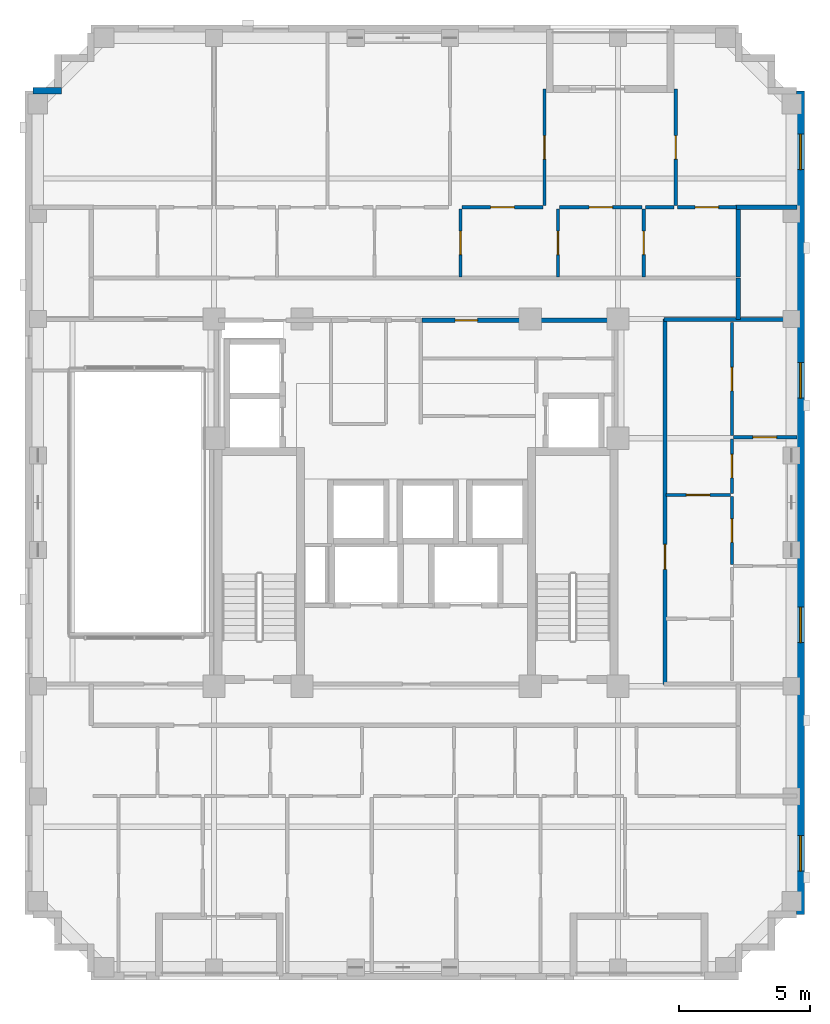
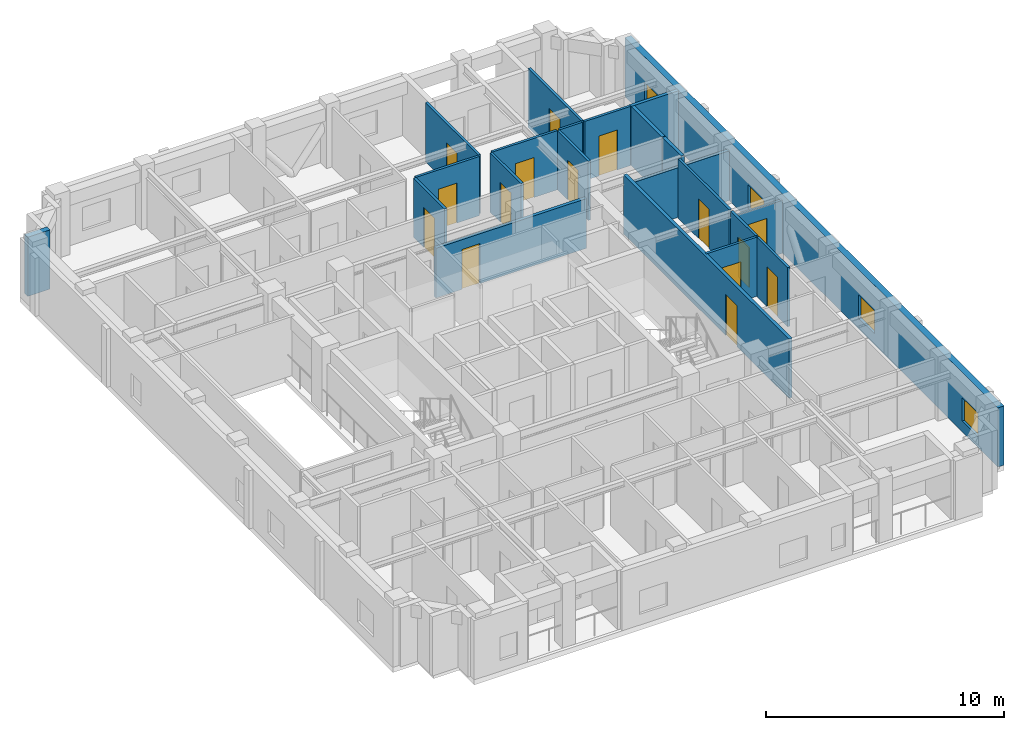
# One storey, part 8 of 13: 22 walls, 15 doors, 4 windows, 19 openings.
"""IFC4 building model written with IfcOpenShell, lengths in metres."""

import ifcopenshell
import ifcopenshell.guid

model = None  # the IFC model being written
_history = None  # IfcOwnerHistory: only IFC2X3 demands one
_inside = {}  # id of a spatial element -> (the spatial element, [elements in it])
_under = {}  # id of a project, library or spatial element -> (it, [spatial elements below it])
_declared = {}  # id of a project -> (the project, [libraries it declares])
_typed = {}  # id of a type object -> (the type object, [elements of that type])
_made_of = {}  # id of a material, layer set ... -> (it, [elements and type objects made of it])


def new_model(schema):
    """Start an empty IFC model of exactly this schema.

    Asked for "IFC4X3", IfcOpenShell would pick the latest addendum, in which some entities
    have other attributes; the version numbers below select the first issue.
    IFC2X3 requires an IfcOwnerHistory on every rooted entity: one is made here for all.
    """
    global model, _history
    if schema == "IFC4X3":
        model = ifcopenshell.file(schema_version=(4, 3, 0, 0))
    else:
        model = ifcopenshell.file(schema=schema)
    _inside.clear()
    _under.clear()
    _declared.clear()
    _typed.clear()
    _made_of.clear()
    _history = None
    if model.schema == "IFC2X3":
        org = make("IfcOrganization", Name="unknown")
        user = make(
            "IfcPersonAndOrganization",
            ThePerson=make("IfcPerson", FamilyName="unknown"),
            TheOrganization=org,
        )
        app = make(
            "IfcApplication",
            ApplicationDeveloper=org,
            Version="unknown",
            ApplicationFullName="unknown",
            ApplicationIdentifier="unknown",
        )
        _history = make(
            "IfcOwnerHistory",
            OwningUser=user,
            OwningApplication=app,
            ChangeAction="ADDED",
            CreationDate=0,
        )
    return model


def make(cls, **values):
    """One entity of the class cls with the attributes given. An attribute that is None is left unset."""
    return model.create_entity(
        cls, **{name: value for name, value in values.items() if value is not None}
    )


def rooted(cls, **values):
    """An entity with a GlobalId (a new one), such as an element, a storey or a relation."""
    return make(cls, GlobalId=ifcopenshell.guid.new(), OwnerHistory=_history, **values)


def si_unit(unit_type, name, prefix=None):
    """IfcSIUnit, for example si_unit("LENGTHUNIT", "METRE", prefix="MILLI")."""
    return make("IfcSIUnit", UnitType=unit_type, Prefix=prefix, Name=name)


def derived_unit(unit_type, elements):
    """IfcDerivedUnit: a product of units, each with its exponent."""
    return make(
        "IfcDerivedUnit",
        Elements=[
            make("IfcDerivedUnitElement", Unit=unit, Exponent=power)
            for unit, power in elements
        ],
        UnitType=unit_type,
    )


def assignment(units):
    """IfcUnitAssignment: the units of a project."""
    return None if units is None else make("IfcUnitAssignment", Units=units)


def point(xyz):
    """IfcCartesianPoint."""
    return None if xyz is None else make("IfcCartesianPoint", Coordinates=xyz)


def direction(xyz):
    """IfcDirection."""
    return None if xyz is None else make("IfcDirection", DirectionRatios=xyz)


def frame(location, z_axis=None, x_axis=None):
    """IfcAxis2Placement3D, a coordinate frame: its origin and axes. An axis left out is left unset."""
    return make(
        "IfcAxis2Placement3D",
        Location=point(location),
        Axis=direction(z_axis),
        RefDirection=direction(x_axis),
    )


def frame_2d(location, x_axis=None):
    """IfcAxis2Placement2D, a coordinate frame in the plane: its origin and x axis."""
    return make(
        "IfcAxis2Placement2D", Location=point(location), RefDirection=direction(x_axis)
    )


def origin():
    """The frame at (0, 0, 0) with its axes left unset."""
    return frame((0.0, 0.0, 0.0))


def place(relative_to, where):
    """IfcLocalPlacement: puts the frame where relative to a parent placement (None: the world)."""
    return make(
        "IfcLocalPlacement", PlacementRelTo=relative_to, RelativePlacement=where
    )


def context(
    kind, dimensions, precision=None, world=None, true_north=None, identifier=None
):
    """IfcGeometricRepresentationContext, for example the 3D "Model" context."""
    return make(
        "IfcGeometricRepresentationContext",
        ContextIdentifier=identifier,
        ContextType=kind,
        CoordinateSpaceDimension=dimensions,
        Precision=precision,
        WorldCoordinateSystem=world,
        TrueNorth=true_north,
    )


def subcontext(parent, identifier, kind, view, scale=None):
    """IfcGeometricRepresentationSubContext, for example "Body" below "Model"."""
    return make(
        "IfcGeometricRepresentationSubContext",
        ContextIdentifier=identifier,
        ContextType=kind,
        ParentContext=parent,
        TargetScale=scale,
        TargetView=view,
    )


def project(units=None, contexts=None):
    """IfcProject with its units and contexts."""
    return rooted(
        "IfcProject",
        Name="project",
        RepresentationContexts=contexts,
        UnitsInContext=assignment(units),
    )


def spatial(cls, under=None, at=None, **own):
    """A site, building, storey or space (cls), placed at a placement, below another one or the project."""
    s = rooted(cls, ObjectPlacement=at, **own)
    if under is not None:
        _under.setdefault(under.id(), (under, []))[1].append(s)
    return s


def profile(cls, at=None, kind="AREA", **sizes):
    """A parametric profile (cls). Its sizes go by their IFC names, for example OverallWidth=200.0."""
    return make(cls, ProfileType=kind, Position=at, **sizes)


def rectangle(**sizes):
    """IfcRectangleProfileDef."""
    return profile("IfcRectangleProfileDef", **sizes)


def extrude(swept, where, along, depth):
    """IfcExtrudedAreaSolid: the profile swept, set in the frame where, extruded along a direction by depth."""
    return make(
        "IfcExtrudedAreaSolid",
        SweptArea=swept,
        Position=where,
        ExtrudedDirection=direction(along),
        Depth=depth,
    )


def shape(context_of_items, identifier, shape_type, items):
    """IfcShapeRepresentation: the items that make up one representation, for example the "Body"."""
    return make(
        "IfcShapeRepresentation",
        ContextOfItems=context_of_items,
        RepresentationIdentifier=identifier,
        RepresentationType=shape_type,
        Items=items,
    )


def material(Name=None, Category=None):
    """IfcMaterial."""
    return make("IfcMaterial", Name=Name, Category=Category)


def layer(
    of_material, thickness, ventilated=None, Name=None, Category=None, Priority=None
):
    """IfcMaterialLayer: one layer of a wall or slab, of a material (None: an air gap)."""
    return make(
        "IfcMaterialLayer",
        Material=of_material,
        LayerThickness=thickness,
        IsVentilated=ventilated,
        Name=Name,
        Category=Category,
        Priority=Priority,
    )


def layer_set(layers, Name=None):
    """IfcMaterialLayerSet."""
    return make("IfcMaterialLayerSet", MaterialLayers=layers, LayerSetName=Name)


def made_of(thing, what):
    """Note that an element or type object is made of a material, layer set ...; save() writes the relation."""
    if what is not None:
        _made_of.setdefault(what.id(), (what, []))[1].append(thing)
    return thing


def type_object(cls, material=None, **own):
    """A type object (cls), such as IfcWallType, which elements share."""
    return made_of(rooted(cls, **own), material)


def element(
    cls,
    number,
    at=None,
    inside=None,
    cuts=None,
    type_object=None,
    material=None,
    context=None,
    identifier="Body",
    shape_type=None,
    held_by="IfcProductDefinitionShape",
    body=None,
    shapes=None,
    **own,
):
    """One element of the class cls, such as IfcWall. Its Tag is "e" and its number.

    at: its placement. inside: the storey or other place that contains it. cuts: it is an
    opening in that element (IfcRelVoidsElement). A single representation is given by context,
    identifier, shape_type and body (its items); several are given by shapes. held_by: the class
    of the entity that holds the representations. save() writes the other relations.
    """
    e = rooted(cls, Tag="e%d" % number, ObjectPlacement=at, **own)
    if body is not None:
        shapes = [shape(context, identifier, shape_type, body)]
    if shapes is not None:
        e.Representation = make(held_by, Representations=shapes)
    if inside is not None:
        _inside.setdefault(inside.id(), (inside, []))[1].append(e)
    if cuts is not None:
        rooted(
            "IfcRelVoidsElement", RelatingBuildingElement=cuts, RelatedOpeningElement=e
        )
    if type_object is not None:
        _typed.setdefault(type_object.id(), (type_object, []))[1].append(e)
    return made_of(e, material)


def fill(opening, filler):
    """IfcRelFillsElement: the door or window that sits in an opening."""
    return rooted(
        "IfcRelFillsElement",
        RelatingOpeningElement=opening,
        RelatedBuildingElement=filler,
    )


def aggregate(whole, parts):
    """IfcRelAggregates: a whole, such as a stair, and the parts it consists of."""
    return rooted("IfcRelAggregates", RelatingObject=whole, RelatedObjects=parts)


def save(model, path):
    """Write the relations noted so far, then the file.

    IfcRelAggregates (storeys below a building ...), IfcRelContainedInSpatialStructure (elements
    in a storey), IfcRelDefinesByType, IfcRelAssociatesMaterial and IfcRelDeclares: one each for
    every whole, place, type object, material and project.
    """
    for whole, parts in _under.values():
        aggregate(whole, parts)
    for where, things in _inside.values():
        rooted(
            "IfcRelContainedInSpatialStructure",
            RelatedElements=things,
            RelatingStructure=where,
        )
    for kind, things in _typed.values():
        rooted("IfcRelDefinesByType", RelatedObjects=things, RelatingType=kind)
    for what, things in _made_of.values():
        rooted("IfcRelAssociatesMaterial", RelatedObjects=things, RelatingMaterial=what)
    for by, libraries in _declared.values():
        rooted("IfcRelDeclares", RelatingContext=by, RelatedDefinitions=libraries)
    model.write(path)


model = new_model("IFC4")

# Units and contexts
model_context = context("Model", 3, precision=1e-05, world=origin(), true_north=direction((0.0, 1.0)))
body_context = subcontext(model_context, "Body", "Model", "MODEL_VIEW")
ifc_project = project(units=[si_unit("LENGTHUNIT", "METRE"), si_unit("AREAUNIT", "SQUARE_METRE"), si_unit("VOLUMEUNIT", "CUBIC_METRE"), si_unit("PLANEANGLEUNIT", "RADIAN"), si_unit("MASSUNIT", "GRAM", prefix="KILO"), derived_unit("THERMALTRANSMITTANCEUNIT", [(si_unit("MASSUNIT", "GRAM", prefix="KILO"), 1), (si_unit("TIMEUNIT", "SECOND"), -3), (si_unit("THERMODYNAMICTEMPERATUREUNIT", "KELVIN"), -1)])], contexts=[model_context])

# Site, building, storey
site_placement = place(None, origin())
site = spatial("IfcSite", under=ifc_project, at=site_placement, CompositionType="ELEMENT")
building_placement = place(site_placement, origin())
building = spatial("IfcBuilding", under=site, at=building_placement, Name="Korrvale Station Residences", CompositionType="ELEMENT")
storey_placement = place(building_placement, frame((0.0, 0.0, 177.699951171875)))
storey = spatial("IfcBuildingStorey", under=building, at=storey_placement, Name="L51", CompositionType="ELEMENT", Elevation=177.699951171875)

# Wall
ifc_material_1 = material(Name="Precast concrete C45/55", Category="concrete")
ifc_layer_1 = layer(ifc_material_1, 0.260009765625, Name="Precast concrete C45/55")
ifc_layer_set_1 = layer_set([ifc_layer_1], Name="Precast concrete C45/55")
wall_type_1 = type_object("IfcWallType", Name="WAL-EXT-LOG260", PredefinedType="SOLIDWALL", material=ifc_layer_set_1)
wall_1_placement = place(storey_placement, frame((10.902099609375, 37.699951171875, 0.0), z_axis=(0.0, 0.0, 1.0), x_axis=(1.0, 0.0, 0.0)))
element("IfcWall", 1, at=wall_1_placement, inside=storey, type_object=wall_type_1, Name="L51 Serrated Corner Precast Step NW-1", PredefinedType="SOLIDWALL", context=body_context, shape_type="SweptSolid", body=[
    extrude(rectangle(XDim=1.077880859375, YDim=0.260009765625, at=frame_2d((0.5390625, 0.0))), origin(), (0.0, 0.0, 1.0), 3.0400390625),
])

# Wall, openings, windows
ifc_layer_2 = layer(ifc_material_1, 0.300048828125, Name="Precast concrete C45/55")
ifc_layer_set_2 = layer_set([ifc_layer_2], Name="Precast concrete C45/55")
wall_type_2 = type_object("IfcWallType", Name="WAL-EXT-PC300", PredefinedType="SOLIDWALL", material=ifc_layer_set_2)
wall_2_placement = place(storey_placement, frame((40.14990234375, 37.699951171875, 0.0), z_axis=(0.0, 0.0, 1.0), x_axis=(0.0, -1.0, 0.0)))
wall_2 = element("IfcWall", 2, at=wall_2_placement, inside=storey, type_object=wall_type_2, Name="L51 East Exterior Precast Wall 1", PredefinedType="SOLIDWALL", context=body_context, shape_type="SweptSolid", body=[
    extrude(rectangle(XDim=31.39990234375, YDim=0.300048828125, at=frame_2d((15.699951171875, 0.0))), origin(), (0.0, 0.0, 1.0), 3.0400390625),
])
opening_1_placement = place(wall_2_placement, frame((28.39599609375, 0.0, 0.550048828125)))
opening_1 = element("IfcOpeningElement", 3, at=opening_1_placement, cuts=wall_2, Name="Opening W-10", PredefinedType="OPENING", context=body_context, shape_type="SweptSolid", body=[
    extrude(rectangle(XDim=1.35009765625, YDim=1.199951171875, at=frame_2d((0.675048828125, 0.60009765625))), frame((0.0, 0.16015625, 0.0), z_axis=(0.0, -1.0, 0.0), x_axis=(1.0, 0.0, 0.0)), (0.0, 0.0, 1.0), 0.320068359375),
])
opening_2_placement = place(wall_2_placement, frame((1.653076171875, 0.0, 0.550048828125)))
opening_2 = element("IfcOpeningElement", 4, at=opening_2_placement, cuts=wall_2, Name="Opening W-10", PredefinedType="OPENING", context=body_context, shape_type="SweptSolid", body=[
    extrude(rectangle(XDim=1.35009765625, YDim=1.199951171875, at=frame_2d((0.675048828125, 0.60009765625))), frame((0.0, 0.16015625, 0.0), z_axis=(0.0, -1.0, 0.0), x_axis=(1.0, 0.0, 0.0)), (0.0, 0.0, 1.0), 0.320068359375),
])
opening_3_placement = place(wall_2_placement, frame((19.68310546875, 0.0, 0.550048828125)))
opening_3 = element("IfcOpeningElement", 5, at=opening_3_placement, cuts=wall_2, Name="Opening W-10", PredefinedType="OPENING", context=body_context, shape_type="SweptSolid", body=[
    extrude(rectangle(XDim=1.35009765625, YDim=1.199951171875, at=frame_2d((0.675048828125, 0.60009765625))), frame((0.0, 0.16015625, 0.0), z_axis=(0.0, -1.0, 0.0), x_axis=(1.0, 0.0, 0.0)), (0.0, 0.0, 1.0), 0.320068359375),
])
opening_4_placement = place(wall_2_placement, frame((10.366943359375, 0.0, 0.550048828125)))
opening_4 = element("IfcOpeningElement", 6, at=opening_4_placement, cuts=wall_2, Name="Opening W-10", PredefinedType="OPENING", context=body_context, shape_type="SweptSolid", body=[
    extrude(rectangle(XDim=1.35009765625, YDim=1.199951171875, at=frame_2d((0.675048828125, 0.60009765625))), frame((0.0, 0.16015625, 0.0), z_axis=(0.0, -1.0, 0.0), x_axis=(1.0, 0.0, 0.0)), (0.0, 0.0, 1.0), 0.320068359375),
])
ifc_material_2 = material(Name="Thermally broken aluminium frame with triple low-e glazing", Category="aluminium")
window_type = type_object("IfcWindowType", Name="WIN-W10", PartitioningType="SINGLE_PANEL", PredefinedType="WINDOW", material=ifc_material_2)
window_1_placement = place(opening_1_placement, origin())
window_1 = element("IfcWindow", 7, at=window_1_placement, inside=storey, type_object=window_type, Name="L51 Punched Window 07", OverallHeight=1.199951171875, OverallWidth=1.35009765625, PartitioningType="SINGLE_PANEL", PredefinedType="WINDOW", context=body_context, shape_type="SweptSolid", body=[
    extrude(rectangle(XDim=1.35009765625, YDim=1.199951171875, at=frame_2d((0.675048828125, 0.60009765625))), frame((0.0, 0.030029296875, 0.0), z_axis=(0.0, -1.0, 0.0), x_axis=(1.0, 0.0, 0.0)), (0.0, 0.0, 1.0), 0.06005859375),
])
fill(opening_1, window_1)
window_2_placement = place(opening_2_placement, origin())
window_2 = element("IfcWindow", 8, at=window_2_placement, inside=storey, type_object=window_type, Name="L51 Punched Window 12", OverallHeight=1.199951171875, OverallWidth=1.35009765625, PartitioningType="SINGLE_PANEL", PredefinedType="WINDOW", context=body_context, shape_type="SweptSolid", body=[
    extrude(rectangle(XDim=1.35009765625, YDim=1.199951171875, at=frame_2d((0.675048828125, 0.60009765625))), frame((0.0, 0.030029296875, 0.0), z_axis=(0.0, -1.0, 0.0), x_axis=(1.0, 0.0, 0.0)), (0.0, 0.0, 1.0), 0.06005859375),
])
fill(opening_2, window_2)
window_3_placement = place(opening_3_placement, origin())
window_3 = element("IfcWindow", 9, at=window_3_placement, inside=storey, type_object=window_type, Name="L51 Punched Window 13", OverallHeight=1.199951171875, OverallWidth=1.35009765625, PartitioningType="SINGLE_PANEL", PredefinedType="WINDOW", context=body_context, shape_type="SweptSolid", body=[
    extrude(rectangle(XDim=1.35009765625, YDim=1.199951171875, at=frame_2d((0.675048828125, 0.60009765625))), frame((0.0, 0.030029296875, 0.0), z_axis=(0.0, -1.0, 0.0), x_axis=(1.0, 0.0, 0.0)), (0.0, 0.0, 1.0), 0.06005859375),
])
fill(opening_3, window_3)
window_4_placement = place(opening_4_placement, origin())
window_4 = element("IfcWindow", 10, at=window_4_placement, inside=storey, type_object=window_type, Name="L51 Punched Window 14", OverallHeight=1.199951171875, OverallWidth=1.35009765625, PartitioningType="SINGLE_PANEL", PredefinedType="WINDOW", context=body_context, shape_type="SweptSolid", body=[
    extrude(rectangle(XDim=1.35009765625, YDim=1.199951171875, at=frame_2d((0.675048828125, 0.60009765625))), frame((0.0, 0.030029296875, 0.0), z_axis=(0.0, -1.0, 0.0), x_axis=(1.0, 0.0, 0.0)), (0.0, 0.0, 1.0), 0.06005859375),
])
fill(opening_4, window_4)

# Wall, opening, door
ifc_material_3 = material(Name="Acoustic steel-stud gypsum board partition", Category="steel")
ifc_layer_3 = layer(ifc_material_3, 0.1201171875, Name="Acoustic steel-stud gypsum board partition")
ifc_layer_set_3 = layer_set([ifc_layer_3], Name="Acoustic steel-stud gypsum board partition")
wall_type_3 = type_object("IfcWallType", Name="WAL-PART-125", PredefinedType="PARTITIONING", material=ifc_layer_set_3)
wall_3_placement = place(storey_placement, frame((27.18994140625, 30.60009765625, 0.0), z_axis=(0.0, 0.0, 1.0), x_axis=(0.0, 1.0, 0.0)))
wall_3 = element("IfcWall", 11, at=wall_3_placement, inside=storey, type_object=wall_type_3, Name="L51 Suite Partition U02-V34", PredefinedType="PARTITIONING", context=body_context, shape_type="SweptSolid", body=[
    extrude(rectangle(XDim=2.599853515625, YDim=0.1201171875, at=frame_2d((1.2998046875, 0.0))), origin(), (0.0, 0.0, 1.0), 3.0400390625),
])
opening_5_placement = place(wall_3_placement, frame((0.85009765625, 0.0, 0.0)))
opening_5 = element("IfcOpeningElement", 12, at=opening_5_placement, cuts=wall_3, Name="Opening DI-900", PredefinedType="OPENING", context=body_context, shape_type="SweptSolid", body=[
    extrude(rectangle(XDim=0.89990234375, YDim=2.050048828125, at=frame_2d((0.449951171875, 1.02490234375))), frame((0.0, 0.070068359375, 0.0), z_axis=(0.0, -1.0, 0.0), x_axis=(1.0, 0.0, 0.0)), (0.0, 0.0, 1.0), 0.14013671875),
])
ifc_material_4 = material(Name="Painted solid-core timber interior room door", Category="wood")
door_type_1 = type_object("IfcDoorType", Name="DR-INT-900", OperationType="NOTDEFINED", PredefinedType="DOOR", material=ifc_material_4)
door_1_placement = place(opening_5_placement, origin())
door_1 = element("IfcDoor", 13, at=door_1_placement, inside=storey, type_object=door_type_1, Name="L51 Apartment 3BR L51-U02 Storage Closet 2 Door", OperationType="SINGLE_SWING_RIGHT", OverallHeight=2.050048828125, OverallWidth=0.89990234375, PredefinedType="DOOR", context=body_context, shape_type="SweptSolid", body=[
    extrude(rectangle(XDim=0.89990234375, YDim=2.050048828125, at=frame_2d((0.449951171875, 1.02490234375))), frame((0.0, 0.02490234375, 0.0), z_axis=(0.0, -1.0, 0.0), x_axis=(1.0, 0.0, 0.0)), (0.0, 0.0, 1.0), 0.050048828125),
])
fill(opening_5, door_1)

wall_4_placement = place(storey_placement, frame((30.909912109375, 30.60009765625, 0.0), z_axis=(0.0, 0.0, 1.0), x_axis=(0.0, 1.0, 0.0)))
wall_4 = element("IfcWall", 14, at=wall_4_placement, inside=storey, type_object=wall_type_3, Name="L51 Suite Partition U02-V45", PredefinedType="PARTITIONING", context=body_context, shape_type="SweptSolid", body=[
    extrude(rectangle(XDim=2.599853515625, YDim=0.1201171875, at=frame_2d((1.2998046875, 0.0))), origin(), (0.0, 0.0, 1.0), 3.0400390625),
])
opening_6_placement = place(wall_4_placement, frame((0.85009765625, 0.0, 0.0)))
opening_6 = element("IfcOpeningElement", 15, at=opening_6_placement, cuts=wall_4, Name="Opening DI-900", PredefinedType="OPENING", context=body_context, shape_type="SweptSolid", body=[
    extrude(rectangle(XDim=0.89990234375, YDim=2.050048828125, at=frame_2d((0.449951171875, 1.02490234375))), frame((0.0, 0.070068359375, 0.0), z_axis=(0.0, -1.0, 0.0), x_axis=(1.0, 0.0, 0.0)), (0.0, 0.0, 1.0), 0.14013671875),
])
door_2_placement = place(opening_6_placement, origin())
door_2 = element("IfcDoor", 16, at=door_2_placement, inside=storey, type_object=door_type_1, Name="L51 Apartment 3BR L51-U02 Storage Closet 3 Door", OperationType="SINGLE_SWING_RIGHT", OverallHeight=2.050048828125, OverallWidth=0.89990234375, PredefinedType="DOOR", context=body_context, shape_type="SweptSolid", body=[
    extrude(rectangle(XDim=0.89990234375, YDim=2.050048828125, at=frame_2d((0.449951171875, 1.02490234375))), frame((0.0, 0.02490234375, 0.0), z_axis=(0.0, -1.0, 0.0), x_axis=(1.0, 0.0, 0.0)), (0.0, 0.0, 1.0), 0.050048828125),
])
fill(opening_6, door_2)

wall_5_placement = place(storey_placement, frame((27.25, 33.260009765625, 0.0), z_axis=(0.0, 0.0, 1.0), x_axis=(1.0, 0.0, 0.0)))
wall_5 = element("IfcWall", 17, at=wall_5_placement, inside=storey, type_object=wall_type_3, Name="L51 Suite Partition U02-H410", PredefinedType="PARTITIONING", context=body_context, shape_type="SweptSolid", body=[
    extrude(rectangle(XDim=3.090087890625, YDim=0.1201171875, at=frame_2d((1.544921875, 0.0))), origin(), (0.0, 0.0, 1.0), 3.0400390625),
])
opening_7_placement = place(wall_5_placement, frame((1.094970703125, 0.0, 0.0)))
opening_7 = element("IfcOpeningElement", 18, at=opening_7_placement, cuts=wall_5, Name="Opening DI-900", PredefinedType="OPENING", context=body_context, shape_type="SweptSolid", body=[
    extrude(rectangle(XDim=0.89990234375, YDim=2.050048828125, at=frame_2d((0.449951171875, 1.02490234375))), frame((0.0, 0.070068359375, 0.0), z_axis=(0.0, -1.0, 0.0), x_axis=(1.0, 0.0, 0.0)), (0.0, 0.0, 1.0), 0.14013671875),
])
door_3_placement = place(opening_7_placement, origin())
door_3 = element("IfcDoor", 19, at=door_3_placement, inside=storey, type_object=door_type_1, Name="L51 Apartment 3BR L51-U02 Storage Closet 3 Door", OperationType="SINGLE_SWING_LEFT", OverallHeight=2.050048828125, OverallWidth=0.89990234375, PredefinedType="DOOR", context=body_context, shape_type="SweptSolid", body=[
    extrude(rectangle(XDim=0.89990234375, YDim=2.050048828125, at=frame_2d((0.449951171875, 1.02490234375))), frame((0.0, 0.02490234375, 0.0), z_axis=(0.0, -1.0, 0.0), x_axis=(1.0, 0.0, 0.0)), (0.0, 0.0, 1.0), 0.050048828125),
])
fill(opening_7, door_3)

wall_6_placement = place(storey_placement, frame((34.179931640625, 30.60009765625, 0.0), z_axis=(0.0, 0.0, 1.0), x_axis=(0.0, 1.0, 0.0)))
wall_6 = element("IfcWall", 20, at=wall_6_placement, inside=storey, type_object=wall_type_3, Name="L51 Suite Partition U02-V56", PredefinedType="PARTITIONING", context=body_context, shape_type="SweptSolid", body=[
    extrude(rectangle(XDim=2.599853515625, YDim=0.1201171875, at=frame_2d((1.2998046875, 0.0))), origin(), (0.0, 0.0, 1.0), 3.0400390625),
])
opening_8_placement = place(wall_6_placement, frame((0.85009765625, 0.0, 0.0)))
opening_8 = element("IfcOpeningElement", 21, at=opening_8_placement, cuts=wall_6, Name="Opening DI-900", PredefinedType="OPENING", context=body_context, shape_type="SweptSolid", body=[
    extrude(rectangle(XDim=0.89990234375, YDim=2.050048828125, at=frame_2d((0.449951171875, 1.02490234375))), frame((0.0, 0.070068359375, 0.0), z_axis=(0.0, -1.0, 0.0), x_axis=(1.0, 0.0, 0.0)), (0.0, 0.0, 1.0), 0.14013671875),
])
door_4_placement = place(opening_8_placement, origin())
door_4 = element("IfcDoor", 22, at=door_4_placement, inside=storey, type_object=door_type_1, Name="L51 Apartment 3BR L51-U02 Storage Closet 4 Door", OperationType="SINGLE_SWING_RIGHT", OverallHeight=2.050048828125, OverallWidth=0.89990234375, PredefinedType="DOOR", context=body_context, shape_type="SweptSolid", body=[
    extrude(rectangle(XDim=0.89990234375, YDim=2.050048828125, at=frame_2d((0.449951171875, 1.02490234375))), frame((0.0, 0.02490234375, 0.0), z_axis=(0.0, -1.0, 0.0), x_axis=(1.0, 0.0, 0.0)), (0.0, 0.0, 1.0), 0.050048828125),
])
fill(opening_8, door_4)

wall_7_placement = place(storey_placement, frame((30.969970703125, 33.260009765625, 0.0), z_axis=(0.0, 0.0, 1.0), x_axis=(1.0, 0.0, 0.0)))
wall_7 = element("IfcWall", 23, at=wall_7_placement, inside=storey, type_object=wall_type_3, Name="L51 Suite Partition U02-H511", PredefinedType="PARTITIONING", context=body_context, shape_type="SweptSolid", body=[
    extrude(rectangle(XDim=3.150146484375, YDim=0.1201171875, at=frame_2d((1.5751953125, 0.0))), origin(), (0.0, 0.0, 1.0), 3.0400390625),
])
opening_9_placement = place(wall_7_placement, frame((1.125, 0.0, 0.0)))
opening_9 = element("IfcOpeningElement", 24, at=opening_9_placement, cuts=wall_7, Name="Opening DI-900", PredefinedType="OPENING", context=body_context, shape_type="SweptSolid", body=[
    extrude(rectangle(XDim=0.89990234375, YDim=2.050048828125, at=frame_2d((0.449951171875, 1.02490234375))), frame((0.0, 0.070068359375, 0.0), z_axis=(0.0, -1.0, 0.0), x_axis=(1.0, 0.0, 0.0)), (0.0, 0.0, 1.0), 0.14013671875),
])
door_5_placement = place(opening_9_placement, origin())
door_5 = element("IfcDoor", 25, at=door_5_placement, inside=storey, type_object=door_type_1, Name="L51 Apartment 3BR L51-U02 Storage Closet 4 Door", OperationType="SINGLE_SWING_LEFT", OverallHeight=2.050048828125, OverallWidth=0.89990234375, PredefinedType="DOOR", context=body_context, shape_type="SweptSolid", body=[
    extrude(rectangle(XDim=0.89990234375, YDim=2.050048828125, at=frame_2d((0.449951171875, 1.02490234375))), frame((0.0, 0.02490234375, 0.0), z_axis=(0.0, -1.0, 0.0), x_axis=(1.0, 0.0, 0.0)), (0.0, 0.0, 1.0), 0.050048828125),
])
fill(opening_9, door_5)

# Wall
wall_8_placement = place(storey_placement, frame((34.239990234375, 33.260009765625, 0.0), z_axis=(0.0, 0.0, 1.0), x_axis=(1.0, 0.0, 0.0)))
element("IfcWall", 26, at=wall_8_placement, inside=storey, type_object=wall_type_3, Name="L51 Suite Partition U02-H611", PredefinedType="PARTITIONING", context=body_context, shape_type="SweptSolid", body=[
    extrude(rectangle(XDim=1.10009765625, YDim=0.1201171875, at=frame_2d((0.550048828125, 0.0))), origin(), (0.0, 0.0, 1.0), 3.0400390625),
])

# Wall, opening, door
wall_9_placement = place(storey_placement, frame((35.4599609375, 33.260009765625, 0.0), z_axis=(0.0, 0.0, 1.0), x_axis=(1.0, 0.0, 0.0)))
wall_9 = element("IfcWall", 27, at=wall_9_placement, inside=storey, type_object=wall_type_3, Name="L51 Suite Partition U02-H612", PredefinedType="PARTITIONING", context=body_context, shape_type="SweptSolid", body=[
    extrude(rectangle(XDim=2.260009765625, YDim=0.1201171875, at=frame_2d((1.1298828125, 0.0))), origin(), (0.0, 0.0, 1.0), 3.0400390625),
])
opening_10_placement = place(wall_9_placement, frame((0.679931640625, 0.0, 0.0)))
opening_10 = element("IfcOpeningElement", 28, at=opening_10_placement, cuts=wall_9, Name="Opening DI-900", PredefinedType="OPENING", context=body_context, shape_type="SweptSolid", body=[
    extrude(rectangle(XDim=0.89990234375, YDim=2.050048828125, at=frame_2d((0.449951171875, 1.02490234375))), frame((0.0, 0.070068359375, 0.0), z_axis=(0.0, -1.0, 0.0), x_axis=(1.0, 0.0, 0.0)), (0.0, 0.0, 1.0), 0.14013671875),
])
door_6_placement = place(opening_10_placement, origin())
door_6 = element("IfcDoor", 29, at=door_6_placement, inside=storey, type_object=door_type_1, Name="L51 Apartment 3BR L51-U02 Storage Closet 5 Door", OperationType="SINGLE_SWING_RIGHT", OverallHeight=2.050048828125, OverallWidth=0.89990234375, PredefinedType="DOOR", context=body_context, shape_type="SweptSolid", body=[
    extrude(rectangle(XDim=0.89990234375, YDim=2.050048828125, at=frame_2d((0.449951171875, 1.02490234375))), frame((0.0, 0.02490234375, 0.0), z_axis=(0.0, -1.0, 0.0), x_axis=(1.0, 0.0, 0.0)), (0.0, 0.0, 1.0), 0.050048828125),
])
fill(opening_10, door_6)

wall_10_placement = place(storey_placement, frame((30.39990234375, 33.320068359375, 0.0), z_axis=(0.0, 0.0, 1.0), x_axis=(0.0, 1.0, 0.0)))
wall_10 = element("IfcWall", 30, at=wall_10_placement, inside=storey, type_object=wall_type_3, Name="L51 Suite Partition U02-V1011", PredefinedType="PARTITIONING", context=body_context, shape_type="SweptSolid", body=[
    extrude(rectangle(XDim=4.449951171875, YDim=0.1201171875, at=frame_2d((2.22509765625, 0.0))), origin(), (0.0, 0.0, 1.0), 3.0400390625),
])
opening_11_placement = place(wall_10_placement, frame((1.77490234375, 0.0, 0.0)))
opening_11 = element("IfcOpeningElement", 31, at=opening_11_placement, cuts=wall_10, Name="Opening DI-900", PredefinedType="OPENING", context=body_context, shape_type="SweptSolid", body=[
    extrude(rectangle(XDim=0.89990234375, YDim=2.050048828125, at=frame_2d((0.449951171875, 1.02490234375))), frame((0.0, 0.070068359375, 0.0), z_axis=(0.0, -1.0, 0.0), x_axis=(1.0, 0.0, 0.0)), (0.0, 0.0, 1.0), 0.14013671875),
])
door_7_placement = place(opening_11_placement, origin())
door_7 = element("IfcDoor", 32, at=door_7_placement, inside=storey, type_object=door_type_1, Name="L51 Apartment 3BR L51-U02 Bedroom 1 Door", OperationType="SINGLE_SWING_RIGHT", OverallHeight=2.050048828125, OverallWidth=0.89990234375, PredefinedType="DOOR", context=body_context, shape_type="SweptSolid", body=[
    extrude(rectangle(XDim=0.89990234375, YDim=2.050048828125, at=frame_2d((0.449951171875, 1.02490234375))), frame((0.0, 0.02490234375, 0.0), z_axis=(0.0, -1.0, 0.0), x_axis=(1.0, 0.0, 0.0)), (0.0, 0.0, 1.0), 0.050048828125),
])
fill(opening_11, door_7)

wall_11_placement = place(storey_placement, frame((35.39990234375, 33.320068359375, 0.0), z_axis=(0.0, 0.0, 1.0), x_axis=(0.0, 1.0, 0.0)))
wall_11 = element("IfcWall", 33, at=wall_11_placement, inside=storey, type_object=wall_type_3, Name="L51 Suite Partition U02-V1112", PredefinedType="PARTITIONING", context=body_context, shape_type="SweptSolid", body=[
    extrude(rectangle(XDim=4.449951171875, YDim=0.1201171875, at=frame_2d((2.22509765625, 0.0))), origin(), (0.0, 0.0, 1.0), 3.0400390625),
])
opening_12_placement = place(wall_11_placement, frame((1.77490234375, 0.0, 0.0)))
opening_12 = element("IfcOpeningElement", 34, at=opening_12_placement, cuts=wall_11, Name="Opening DI-900", PredefinedType="OPENING", context=body_context, shape_type="SweptSolid", body=[
    extrude(rectangle(XDim=0.89990234375, YDim=2.050048828125, at=frame_2d((0.449951171875, 1.02490234375))), frame((0.0, 0.070068359375, 0.0), z_axis=(0.0, -1.0, 0.0), x_axis=(1.0, 0.0, 0.0)), (0.0, 0.0, 1.0), 0.14013671875),
])
door_8_placement = place(opening_12_placement, origin())
door_8 = element("IfcDoor", 35, at=door_8_placement, inside=storey, type_object=door_type_1, Name="L51 Apartment 3BR L51-U02 Bedroom 2 Door", OperationType="SINGLE_SWING_LEFT", OverallHeight=2.050048828125, OverallWidth=0.89990234375, PredefinedType="DOOR", context=body_context, shape_type="SweptSolid", body=[
    extrude(rectangle(XDim=0.89990234375, YDim=2.050048828125, at=frame_2d((0.449951171875, 1.02490234375))), frame((0.0, 0.02490234375, 0.0), z_axis=(0.0, -1.0, 0.0), x_axis=(1.0, 0.0, 0.0)), (0.0, 0.0, 1.0), 0.050048828125),
])
fill(opening_12, door_8)

wall_12_placement = place(storey_placement, frame((35.030029296875, 22.2900390625, 0.0), z_axis=(0.0, 0.0, 1.0), x_axis=(1.0, 0.0, 0.0)))
wall_12 = element("IfcWall", 36, at=wall_12_placement, inside=storey, type_object=wall_type_3, Name="L51 Suite Partition U03-H02", PredefinedType="PARTITIONING", context=body_context, shape_type="SweptSolid", body=[
    extrude(rectangle(XDim=2.449951171875, YDim=0.1201171875, at=frame_2d((1.22509765625, 0.0))), origin(), (0.0, 0.0, 1.0), 3.0400390625),
])
opening_13_placement = place(wall_12_placement, frame((0.77490234375, 0.0, 0.0)))
opening_13 = element("IfcOpeningElement", 37, at=opening_13_placement, cuts=wall_12, Name="Opening DI-900", PredefinedType="OPENING", context=body_context, shape_type="SweptSolid", body=[
    extrude(rectangle(XDim=0.89990234375, YDim=2.050048828125, at=frame_2d((0.449951171875, 1.02490234375))), frame((0.0, 0.070068359375, 0.0), z_axis=(0.0, -1.0, 0.0), x_axis=(1.0, 0.0, 0.0)), (0.0, 0.0, 1.0), 0.14013671875),
])
door_9_placement = place(opening_13_placement, origin())
door_9 = element("IfcDoor", 38, at=door_9_placement, inside=storey, type_object=door_type_1, Name="L51 Apartment 2BR L51-U03 Wardrobe Storage Room Door", OperationType="SINGLE_SWING_RIGHT", OverallHeight=2.050048828125, OverallWidth=0.89990234375, PredefinedType="DOOR", context=body_context, shape_type="SweptSolid", body=[
    extrude(rectangle(XDim=0.89990234375, YDim=2.050048828125, at=frame_2d((0.449951171875, 1.02490234375))), frame((0.0, 0.02490234375, 0.0), z_axis=(0.0, -1.0, 0.0), x_axis=(1.0, 0.0, 0.0)), (0.0, 0.0, 1.0), 0.050048828125),
])
fill(opening_13, door_9)

wall_13_placement = place(storey_placement, frame((37.5400390625, 22.35009765625, 0.0), z_axis=(0.0, 0.0, 1.0), x_axis=(0.0, 1.0, 0.0)))
wall_13 = element("IfcWall", 39, at=wall_13_placement, inside=storey, type_object=wall_type_3, Name="L51 Suite Partition U03-V04", PredefinedType="PARTITIONING", context=body_context, shape_type="SweptSolid", body=[
    extrude(rectangle(XDim=2.081787109375, YDim=0.1201171875, at=frame_2d((1.041015625, 0.0))), origin(), (0.0, 0.0, 1.0), 3.0400390625),
])
opening_14_placement = place(wall_13_placement, frame((0.591064453125, 0.0, 0.0)))
opening_14 = element("IfcOpeningElement", 40, at=opening_14_placement, cuts=wall_13, Name="Opening DI-900", PredefinedType="OPENING", context=body_context, shape_type="SweptSolid", body=[
    extrude(rectangle(XDim=0.89990234375, YDim=2.050048828125, at=frame_2d((0.449951171875, 1.02490234375))), frame((0.0, 0.070068359375, 0.0), z_axis=(0.0, -1.0, 0.0), x_axis=(1.0, 0.0, 0.0)), (0.0, 0.0, 1.0), 0.14013671875),
])
door_10_placement = place(opening_14_placement, origin())
door_10 = element("IfcDoor", 41, at=door_10_placement, inside=storey, type_object=door_type_1, Name="L51 Apartment 2BR L51-U03 Wardrobe Storage Room Door", OperationType="SINGLE_SWING_LEFT", OverallHeight=2.050048828125, OverallWidth=0.89990234375, PredefinedType="DOOR", context=body_context, shape_type="SweptSolid", body=[
    extrude(rectangle(XDim=0.89990234375, YDim=2.050048828125, at=frame_2d((0.449951171875, 1.02490234375))), frame((0.0, 0.02490234375, 0.0), z_axis=(0.0, -1.0, 0.0), x_axis=(1.0, 0.0, 0.0)), (0.0, 0.0, 1.0), 0.050048828125),
])
fill(opening_14, door_10)

wall_14_placement = place(storey_placement, frame((37.5400390625, 24.552001953125, 0.0), z_axis=(0.0, 0.0, 1.0), x_axis=(0.0, 1.0, 0.0)))
wall_14 = element("IfcWall", 42, at=wall_14_placement, inside=storey, type_object=wall_type_3, Name="L51 Suite Partition U03-V05", PredefinedType="PARTITIONING", context=body_context, shape_type="SweptSolid", body=[
    extrude(rectangle(XDim=4.30810546875, YDim=0.1201171875, at=frame_2d((2.154052734375, 0.0))), origin(), (0.0, 0.0, 1.0), 3.0400390625),
])
opening_15_placement = place(wall_14_placement, frame((1.7041015625, 0.0, 0.0)))
opening_15 = element("IfcOpeningElement", 43, at=opening_15_placement, cuts=wall_14, Name="Opening DI-900", PredefinedType="OPENING", context=body_context, shape_type="SweptSolid", body=[
    extrude(rectangle(XDim=0.89990234375, YDim=2.050048828125, at=frame_2d((0.449951171875, 1.02490234375))), frame((0.0, 0.070068359375, 0.0), z_axis=(0.0, -1.0, 0.0), x_axis=(1.0, 0.0, 0.0)), (0.0, 0.0, 1.0), 0.14013671875),
])
door_11_placement = place(opening_15_placement, origin())
door_11 = element("IfcDoor", 44, at=door_11_placement, inside=storey, type_object=door_type_1, Name="L51 Apartment 2BR L51-U03 Wardrobe Storage Room Door", OperationType="SINGLE_SWING_RIGHT", OverallHeight=2.050048828125, OverallWidth=0.89990234375, PredefinedType="DOOR", context=body_context, shape_type="SweptSolid", body=[
    extrude(rectangle(XDim=0.89990234375, YDim=2.050048828125, at=frame_2d((0.449951171875, 1.02490234375))), frame((0.0, 0.02490234375, 0.0), z_axis=(0.0, -1.0, 0.0), x_axis=(1.0, 0.0, 0.0)), (0.0, 0.0, 1.0), 0.050048828125),
])
fill(opening_15, door_11)

wall_15_placement = place(storey_placement, frame((37.5400390625, 19.637939453125, 0.0), z_axis=(0.0, 0.0, 1.0), x_axis=(0.0, 1.0, 0.0)))
wall_15 = element("IfcWall", 45, at=wall_15_placement, inside=storey, type_object=wall_type_3, Name="L51 Suite Partition U03-V24", PredefinedType="PARTITIONING", context=body_context, shape_type="SweptSolid", body=[
    extrude(rectangle(XDim=2.592041015625, YDim=0.1201171875, at=frame_2d((1.2958984375, 0.0))), origin(), (0.0, 0.0, 1.0), 3.0400390625),
])
opening_16_placement = place(wall_15_placement, frame((0.845947265625, 0.0, 0.0)))
opening_16 = element("IfcOpeningElement", 46, at=opening_16_placement, cuts=wall_15, Name="Opening DI-900", PredefinedType="OPENING", context=body_context, shape_type="SweptSolid", body=[
    extrude(rectangle(XDim=0.89990234375, YDim=2.050048828125, at=frame_2d((0.449951171875, 1.02490234375))), frame((0.0, 0.070068359375, 0.0), z_axis=(0.0, -1.0, 0.0), x_axis=(1.0, 0.0, 0.0)), (0.0, 0.0, 1.0), 0.14013671875),
])
door_12_placement = place(opening_16_placement, origin())
door_12 = element("IfcDoor", 47, at=door_12_placement, inside=storey, type_object=door_type_1, Name="L51 Apartment 2BR L51-U03 Kitchen Door", OperationType="SINGLE_SWING_LEFT", OverallHeight=2.050048828125, OverallWidth=0.89990234375, PredefinedType="DOOR", context=body_context, shape_type="SweptSolid", body=[
    extrude(rectangle(XDim=0.89990234375, YDim=2.050048828125, at=frame_2d((0.449951171875, 1.02490234375))), frame((0.0, 0.02490234375, 0.0), z_axis=(0.0, -1.0, 0.0), x_axis=(1.0, 0.0, 0.0)), (0.0, 0.0, 1.0), 0.050048828125),
])
fill(opening_16, door_12)

wall_16_placement = place(storey_placement, frame((37.60009765625, 24.491943359375, 0.0), z_axis=(0.0, 0.0, 1.0), x_axis=(1.0, 0.0, 0.0)))
wall_16 = element("IfcWall", 48, at=wall_16_placement, inside=storey, type_object=wall_type_3, Name="L51 Suite Partition U03-H45", PredefinedType="PARTITIONING", context=body_context, shape_type="SweptSolid", body=[
    extrude(rectangle(XDim=2.419921875, YDim=0.1201171875, at=frame_2d((1.2099609375, 0.0))), origin(), (0.0, 0.0, 1.0), 2.72216796875),
])
opening_17_placement = place(wall_16_placement, frame((0.7451171875, 0.0, 0.0)))
opening_17 = element("IfcOpeningElement", 49, at=opening_17_placement, cuts=wall_16, Name="Opening DI-900", PredefinedType="OPENING", context=body_context, shape_type="SweptSolid", body=[
    extrude(rectangle(XDim=0.89990234375, YDim=2.050048828125, at=frame_2d((0.449951171875, 1.02490234375))), frame((0.0, 0.070068359375, 0.0), z_axis=(0.0, -1.0, 0.0), x_axis=(1.0, 0.0, 0.0)), (0.0, 0.0, 1.0), 0.14013671875),
])
door_13_placement = place(opening_17_placement, origin())
door_13 = element("IfcDoor", 50, at=door_13_placement, inside=storey, type_object=door_type_1, Name="L51 Apartment 2BR L51-U03 Living and Dining Room Door", OperationType="SINGLE_SWING_LEFT", OverallHeight=2.050048828125, OverallWidth=0.89990234375, PredefinedType="DOOR", context=body_context, shape_type="SweptSolid", body=[
    extrude(rectangle(XDim=0.89990234375, YDim=2.050048828125, at=frame_2d((0.449951171875, 1.02490234375))), frame((0.0, 0.02490234375, 0.0), z_axis=(0.0, -1.0, 0.0), x_axis=(1.0, 0.0, 0.0)), (0.0, 0.0, 1.0), 0.050048828125),
])
fill(opening_17, door_13)

ifc_material_5 = material(Name="Fire-rated twin-stud gypsum and mineral wool shaftwall assembly", Category="gypsum")
ifc_layer_4 = layer(ifc_material_5, 0.159912109375, Name="Fire-rated twin-stud gypsum and mineral wool shaftwall assembly")
ifc_layer_set_4 = layer_set([ifc_layer_4], Name="Fire-rated twin-stud gypsum and mineral wool shaftwall assembly")
wall_type_4 = type_object("IfcWallType", Name="WAL-PART-200", PredefinedType="PARTITIONING", material=ifc_layer_set_4)
wall_17_placement = place(storey_placement, frame((25.719970703125, 28.949951171875, 0.0), z_axis=(0.0, 0.0, 1.0), x_axis=(1.0, 0.0, 0.0)))
wall_17 = element("IfcWall", 51, at=wall_17_placement, inside=storey, type_object=wall_type_4, Name="L51 Core Partition CW-FPLE-N", PredefinedType="PARTITIONING", context=body_context, shape_type="SweptSolid", body=[
    extrude(rectangle(XDim=7.320068359375, YDim=0.159912109375, at=frame_2d((3.66015625, 0.0))), origin(), (0.0, 0.0, 1.0), 2.55615234375),
])
opening_18_placement = place(wall_17_placement, frame((1.27001953125, 0.0, 0.0)))
opening_18 = element("IfcOpeningElement", 52, at=opening_18_placement, cuts=wall_17, Name="Opening DB-860", PredefinedType="OPENING", context=body_context, shape_type="SweptSolid", body=[
    extrude(rectangle(XDim=0.860107421875, YDim=2.050048828125, at=frame_2d((0.43017578125, 1.02490234375))), frame((0.0, 0.08984375, 0.0), z_axis=(0.0, -1.0, 0.0), x_axis=(1.0, 0.0, 0.0)), (0.0, 0.0, 1.0), 0.179931640625),
])
ifc_material_6 = material(Name="Moisture-resistant solid-core bathroom door", Category="timber")
door_type_2 = type_object("IfcDoorType", Name="DR-BATH-860", OperationType="NOTDEFINED", PredefinedType="DOOR", material=ifc_material_6)
door_14_placement = place(opening_18_placement, origin())
door_14 = element("IfcDoor", 53, at=door_14_placement, inside=storey, type_object=door_type_2, Name="L51 Luggage Pantry Door", OperationType="SINGLE_SWING_RIGHT", OverallHeight=2.050048828125, OverallWidth=0.860107421875, PredefinedType="DOOR", context=body_context, shape_type="SweptSolid", body=[
    extrude(rectangle(XDim=0.860107421875, YDim=2.050048828125, at=frame_2d((0.43017578125, 1.02490234375))), frame((0.0, 0.02490234375, 0.0), z_axis=(0.0, -1.0, 0.0), x_axis=(1.0, 0.0, 0.0)), (0.0, 0.0, 1.0), 0.050048828125),
])
fill(opening_18, door_14)

# Walls
wall_18_placement = place(storey_placement, frame((37.780029296875, 28.97998046875, 0.0), z_axis=(0.0, 0.0, 1.0), x_axis=(0.0, 1.0, 0.0)))
element("IfcWall", 54, at=wall_18_placement, inside=storey, type_object=wall_type_4, Name="L51 Corridor North East Cap", PredefinedType="PARTITIONING", context=body_context, shape_type="SweptSolid", body=[
    extrude(rectangle(XDim=1.580078125, YDim=0.159912109375, at=frame_2d((0.7900390625, 0.0))), origin(), (0.0, 0.0, 1.0), 3.0400390625),
])
wall_19_placement = place(storey_placement, frame((34.949951171875, 28.97998046875, 0.0), z_axis=(0.0, 0.0, 1.0), x_axis=(1.0, 0.0, 0.0)))
element("IfcWall", 55, at=wall_19_placement, inside=storey, type_object=wall_type_4, Name="L51 East Wing North Corridor Wall", PredefinedType="PARTITIONING", context=body_context, shape_type="SweptSolid", body=[
    extrude(rectangle(XDim=5.070068359375, YDim=0.159912109375, at=frame_2d((2.53515625, 0.0))), origin(), (0.0, 0.0, 1.0), 2.55615234375),
])
wall_20_placement = place(storey_placement, frame((37.679931640625, 33.260009765625, 0.0), z_axis=(0.0, 0.0, 1.0), x_axis=(1.0, 0.0, 0.0)))
element("IfcWall", 56, at=wall_20_placement, inside=storey, type_object=wall_type_4, Name="L51 Corner Step Wall U02-R", PredefinedType="PARTITIONING", context=body_context, shape_type="SweptSolid", body=[
    extrude(rectangle(XDim=2.340087890625, YDim=0.159912109375, at=frame_2d((1.169921875, 0.0))), origin(), (0.0, 0.0, 1.0), 3.0400390625),
])
wall_21_placement = place(storey_placement, frame((37.780029296875, 30.60009765625, 0.0), z_axis=(0.0, 0.0, 1.0), x_axis=(0.0, 1.0, 0.0)))
element("IfcWall", 57, at=wall_21_placement, inside=storey, type_object=wall_type_4, Name="L51 Corner Step Cheek U02-R", PredefinedType="PARTITIONING", context=body_context, shape_type="SweptSolid", body=[
    extrude(rectangle(XDim=2.659912109375, YDim=0.159912109375, at=frame_2d((1.330078125, 0.0))), origin(), (0.0, 0.0, 1.0), 3.0400390625),
])

# Wall, opening, door
wall_22_placement = place(storey_placement, frame((34.989990234375, 15.070068359375, 0.0), z_axis=(0.0, 0.0, 1.0), x_axis=(0.0, 1.0, 0.0)))
wall_22 = element("IfcWall", 58, at=wall_22_placement, inside=storey, type_object=wall_type_4, Name="L51 Rated Corridor Wall E", PredefinedType="PARTITIONING", context=body_context, shape_type="SweptSolid", body=[
    extrude(rectangle(XDim=13.929931640625, YDim=0.159912109375, at=frame_2d((6.96484375, 0.0))), origin(), (0.0, 0.0, 1.0), 3.0400390625),
])
opening_19_placement = place(wall_22_placement, frame((4.385009765625, 0.0, 0.0)))
opening_19 = element("IfcOpeningElement", 59, at=opening_19_placement, cuts=wall_22, Name="Opening UD-950", PredefinedType="OPENING", context=body_context, shape_type="SweptSolid", body=[
    extrude(rectangle(XDim=0.949951171875, YDim=2.10009765625, at=frame_2d((0.47509765625, 1.050048828125))), frame((0.0, 0.08984375, 0.0), z_axis=(0.0, -1.0, 0.0), x_axis=(1.0, 0.0, 0.0)), (0.0, 0.0, 1.0), 0.179931640625),
])
ifc_material_7 = material(Name="Solid-core acoustic oak apartment entrance door", Category="timber")
door_type_3 = type_object("IfcDoorType", Name="DR-UNIT-950", OperationType="NOTDEFINED", PredefinedType="DOOR", material=ifc_material_7)
door_15_placement = place(opening_19_placement, origin())
door_15 = element("IfcDoor", 60, at=door_15_placement, inside=storey, type_object=door_type_3, Name="L51 Apartment L51-U03 Entrance Door", OperationType="SINGLE_SWING_RIGHT", OverallHeight=2.10009765625, OverallWidth=0.949951171875, PredefinedType="DOOR", context=body_context, shape_type="SweptSolid", body=[
    extrude(rectangle(XDim=0.949951171875, YDim=2.10009765625, at=frame_2d((0.47509765625, 1.050048828125))), frame((0.0, 0.02490234375, 0.0), z_axis=(0.0, -1.0, 0.0), x_axis=(1.0, 0.0, 0.0)), (0.0, 0.0, 1.0), 0.050048828125),
])
fill(opening_19, door_15)

save(model, "model.ifc")
